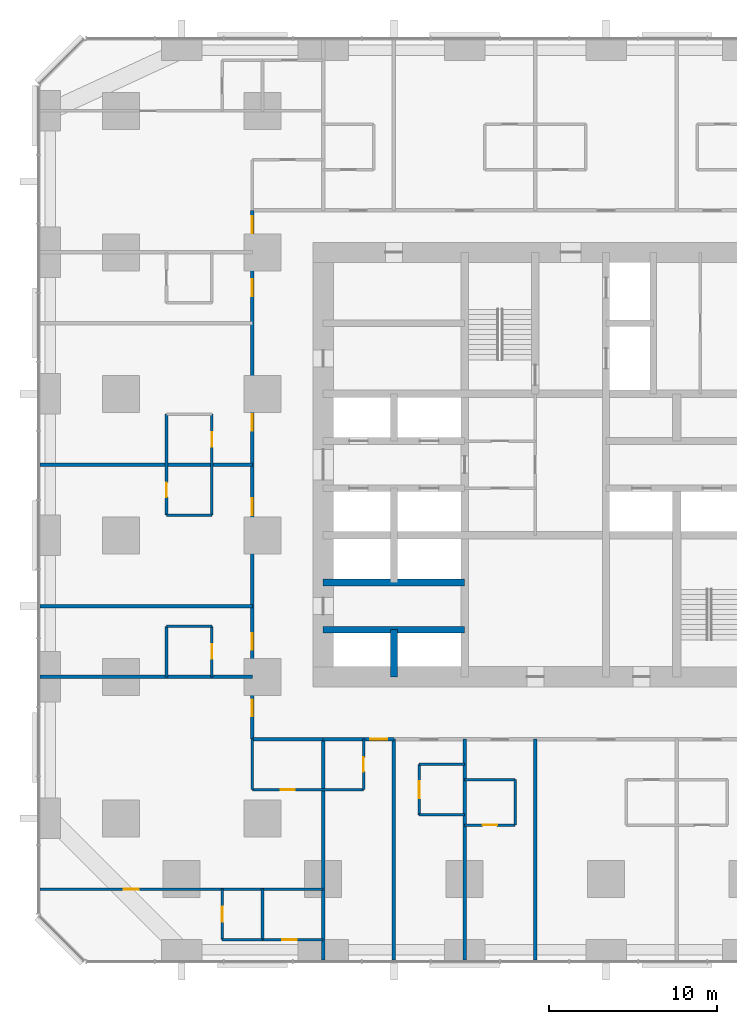
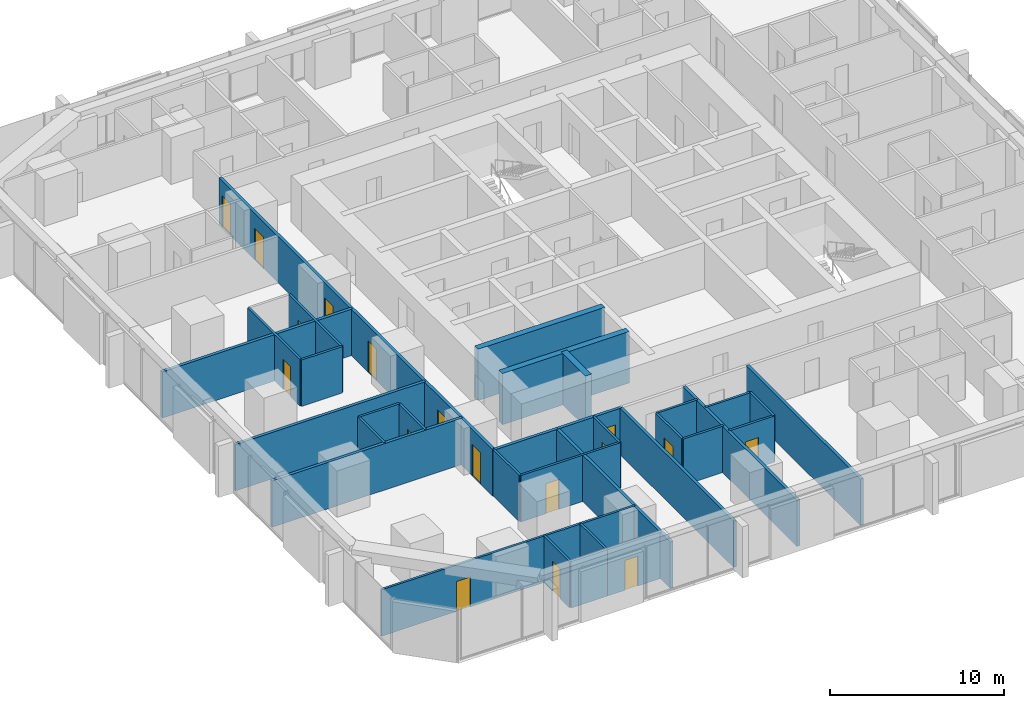
# One storey, part 8 of 13: 33 walls, 17 doors, 17 openings.
"""IFC4 building model written with IfcOpenShell, lengths in metres."""

from ifc_helpers import new_model, si_unit, direction, frame, frame_2d, origin, place, context, subcontext, project, spatial, rectangle, extrude, material, layer, layer_set, type_object, element, fill, save


model = new_model("IFC4")

# Units and contexts
model_context = context("Model", 3, precision=1e-05, world=origin(), true_north=direction((0.0, 1.0)))
body_context = subcontext(model_context, "Body", "Model", "MODEL_VIEW")
ifc_project = project(units=[si_unit("LENGTHUNIT", "METRE"), si_unit("AREAUNIT", "SQUARE_METRE"), si_unit("VOLUMEUNIT", "CUBIC_METRE"), si_unit("PLANEANGLEUNIT", "RADIAN"), si_unit("MASSUNIT", "GRAM", prefix="KILO")], contexts=[model_context])

# Site, building, storey
site_placement = place(None, origin())
site = spatial("IfcSite", under=ifc_project, at=site_placement, CompositionType="ELEMENT")
building_placement = place(site_placement, origin())
building = spatial("IfcBuilding", under=site, at=building_placement, Name="Dunama Terrace Hotel", CompositionType="ELEMENT")
storey_placement = place(building_placement, frame((0.0, 0.0, 144.0)))
storey = spatial("IfcBuildingStorey", under=building, at=storey_placement, Name="L37", CompositionType="ELEMENT", Elevation=144.0)

# Wall
ifc_material_1 = material(Name="Gypsum board partition", Category="masonry")
ifc_layer_1 = layer(ifc_material_1, 0.14990234375)
ifc_layer_set_1 = layer_set([ifc_layer_1], Name="Bathroom partition 150")
wall_type_1 = type_object("IfcWallType", Name="Bathroom partition 150", PredefinedType="PARTITIONING", material=ifc_layer_set_1)
wall_1_placement = place(storey_placement, frame((7.5, 16.800048828125, 0.0), z_axis=(0.0, 0.0, 1.0), x_axis=(0.0, 1.0, 0.0)))
element("IfcWall", 1, at=wall_1_placement, inside=storey, type_object=wall_type_1, Name="Bathroom partition 150 L37", PredefinedType="PARTITIONING", context=body_context, shape_type="SweptSolid", body=[
    extrude(rectangle(XDim=3.0, YDim=0.14990234375, at=frame_2d((1.5, 0.0))), origin(), (0.0, 0.0, 1.0), 3.25),
])

# Wall, opening, door
wall_2_placement = place(storey_placement, frame((7.5, 26.39990234375, 0.0), z_axis=(0.0, 0.0, 1.0), x_axis=(0.0, 1.0, 0.0)))
wall_2 = element("IfcWall", 2, at=wall_2_placement, inside=storey, type_object=wall_type_1, Name="Bathroom partition 150 L37", PredefinedType="PARTITIONING", context=body_context, shape_type="SweptSolid", body=[
    extrude(rectangle(XDim=6.0, YDim=0.14990234375, at=frame_2d((3.0, 0.0))), origin(), (0.0, 0.0, 1.0), 3.25),
])
opening_1_placement = place(wall_2_placement, frame((1.074951171875, 0.0, 0.0)))
opening_1 = element("IfcOpeningElement", 3, at=opening_1_placement, cuts=wall_2, Name="Opening L37-044", PredefinedType="OPENING", context=body_context, shape_type="SweptSolid", body=[
    extrude(rectangle(XDim=0.85009765625, YDim=2.10009765625, at=frame_2d((0.425048828125, 1.050048828125))), frame((0.0, 0.0849609375, 0.0), z_axis=(0.0, -1.0, 0.0), x_axis=(1.0, 0.0, 0.0)), (0.0, 0.0, 1.0), 0.169921875),
])
ifc_material_2 = material(Name="Timber door with steel frame", Category="steel")
door_type_1 = type_object("IfcDoorType", Name="Bathroom door 850", OperationType="SINGLE_SWING_LEFT", PredefinedType="DOOR", material=ifc_material_2)
door_1_placement = place(opening_1_placement, frame((0.85009765625, 0.0, 0.0), z_axis=(0.0, 0.0, 1.0), x_axis=(-1.0, 0.0, 0.0)))
door_1 = element("IfcDoor", 4, at=door_1_placement, inside=storey, type_object=door_type_1, Name="Door to en-suite bathroom L37-044, type D2", OperationType="SINGLE_SWING_LEFT", OverallHeight=2.10009765625, OverallWidth=0.85009765625, PredefinedType="DOOR", context=body_context, shape_type="SweptSolid", body=[
    extrude(rectangle(XDim=0.85009765625, YDim=2.10009765625, at=frame_2d((0.425048828125, 1.050048828125))), frame((0.0, 0.025146484375, 0.0), z_axis=(0.0, -1.0, 0.0), x_axis=(1.0, 0.0, 0.0)), (0.0, 0.0, 1.0), 0.050048828125),
])
fill(opening_1, door_1)

wall_3_placement = place(storey_placement, frame((10.199951171875, 16.800048828125, 0.0), z_axis=(0.0, 0.0, 1.0), x_axis=(0.0, 1.0, 0.0)))
wall_3 = element("IfcWall", 5, at=wall_3_placement, inside=storey, type_object=wall_type_1, Name="Bathroom partition 150 L37", PredefinedType="PARTITIONING", context=body_context, shape_type="SweptSolid", body=[
    extrude(rectangle(XDim=3.0, YDim=0.14990234375, at=frame_2d((1.5, 0.0))), origin(), (0.0, 0.0, 1.0), 3.25),
])
opening_2_placement = place(wall_3_placement, frame((1.074951171875, 0.0, 0.0)))
opening_2 = element("IfcOpeningElement", 6, at=opening_2_placement, cuts=wall_3, Name="Opening L37-042", PredefinedType="OPENING", context=body_context, shape_type="SweptSolid", body=[
    extrude(rectangle(XDim=0.85009765625, YDim=2.10009765625, at=frame_2d((0.425048828125, 1.050048828125))), frame((0.0, 0.0849609375, 0.0), z_axis=(0.0, -1.0, 0.0), x_axis=(1.0, 0.0, 0.0)), (0.0, 0.0, 1.0), 0.169921875),
])
door_2_placement = place(opening_2_placement, origin())
door_2 = element("IfcDoor", 7, at=door_2_placement, inside=storey, type_object=door_type_1, Name="Door to en-suite bathroom L37-042, type D2", OperationType="SINGLE_SWING_LEFT", OverallHeight=2.10009765625, OverallWidth=0.85009765625, PredefinedType="DOOR", context=body_context, shape_type="SweptSolid", body=[
    extrude(rectangle(XDim=0.85009765625, YDim=2.10009765625, at=frame_2d((0.425048828125, 1.050048828125))), frame((0.0, 0.02490234375, 0.0), z_axis=(0.0, -1.0, 0.0), x_axis=(1.0, 0.0, 0.0)), (0.0, 0.0, 1.0), 0.050048828125),
])
fill(opening_2, door_2)

wall_4_placement = place(storey_placement, frame((10.199951171875, 26.39990234375, 0.0), z_axis=(0.0, 0.0, 1.0), x_axis=(0.0, 1.0, 0.0)))
wall_4 = element("IfcWall", 8, at=wall_4_placement, inside=storey, type_object=wall_type_1, Name="Bathroom partition 150 L37", PredefinedType="PARTITIONING", context=body_context, shape_type="SweptSolid", body=[
    extrude(rectangle(XDim=6.0, YDim=0.14990234375, at=frame_2d((3.0, 0.0))), origin(), (0.0, 0.0, 1.0), 3.25),
])
opening_3_placement = place(wall_4_placement, frame((4.074951171875, 0.0, 0.0)))
opening_3 = element("IfcOpeningElement", 9, at=opening_3_placement, cuts=wall_4, Name="Opening L37-046", PredefinedType="OPENING", context=body_context, shape_type="SweptSolid", body=[
    extrude(rectangle(XDim=0.85009765625, YDim=2.10009765625, at=frame_2d((0.425048828125, 1.050048828125))), frame((0.0, 0.0849609375, 0.0), z_axis=(0.0, -1.0, 0.0), x_axis=(1.0, 0.0, 0.0)), (0.0, 0.0, 1.0), 0.169921875),
])
door_3_placement = place(opening_3_placement, origin())
door_3 = element("IfcDoor", 10, at=door_3_placement, inside=storey, type_object=door_type_1, Name="Door to en-suite bathroom L37-046, type D2", OperationType="SINGLE_SWING_LEFT", OverallHeight=2.10009765625, OverallWidth=0.85009765625, PredefinedType="DOOR", context=body_context, shape_type="SweptSolid", body=[
    extrude(rectangle(XDim=0.85009765625, YDim=2.10009765625, at=frame_2d((0.425048828125, 1.050048828125))), frame((0.0, 0.02490234375, 0.0), z_axis=(0.0, -1.0, 0.0), x_axis=(1.0, 0.0, 0.0)), (0.0, 0.0, 1.0), 0.050048828125),
])
fill(opening_3, door_3)

# Wall
wall_5_placement = place(storey_placement, frame((12.60009765625, 10.10009765625, 0.0), z_axis=(0.0, 0.0, 1.0), x_axis=(0.0, 1.0, 0.0)))
element("IfcWall", 11, at=wall_5_placement, inside=storey, type_object=wall_type_1, Name="Bathroom partition 150 L37", PredefinedType="PARTITIONING", context=body_context, shape_type="SweptSolid", body=[
    extrude(rectangle(XDim=3.0, YDim=0.14990234375, at=frame_2d((1.5, 0.0))), origin(), (0.0, 0.0, 1.0), 3.25),
])

# Wall, opening, door
wall_6_placement = place(storey_placement, frame((19.199951171875, 10.10009765625, 0.0), z_axis=(0.0, 0.0, 1.0), x_axis=(0.0, 1.0, 0.0)))
wall_6 = element("IfcWall", 12, at=wall_6_placement, inside=storey, type_object=wall_type_1, Name="Bathroom partition 150 L37", PredefinedType="PARTITIONING", context=body_context, shape_type="SweptSolid", body=[
    extrude(rectangle(XDim=3.0, YDim=0.14990234375, at=frame_2d((1.5, 0.0))), origin(), (0.0, 0.0, 1.0), 3.25),
])
opening_4_placement = place(wall_6_placement, frame((1.074951171875, 0.0, 0.0)))
opening_4 = element("IfcOpeningElement", 13, at=opening_4_placement, cuts=wall_6, Name="Opening L37-012", PredefinedType="OPENING", context=body_context, shape_type="SweptSolid", body=[
    extrude(rectangle(XDim=0.85009765625, YDim=2.10009765625, at=frame_2d((0.425048828125, 1.050048828125))), frame((0.0, 0.0849609375, 0.0), z_axis=(0.0, -1.0, 0.0), x_axis=(1.0, 0.0, 0.0)), (0.0, 0.0, 1.0), 0.169921875),
])
door_4_placement = place(opening_4_placement, origin())
door_4 = element("IfcDoor", 14, at=door_4_placement, inside=storey, type_object=door_type_1, Name="Door to ablution room L37-012, type D2", OperationType="SINGLE_SWING_RIGHT", OverallHeight=2.10009765625, OverallWidth=0.85009765625, PredefinedType="DOOR", context=body_context, shape_type="SweptSolid", body=[
    extrude(rectangle(XDim=0.85009765625, YDim=2.10009765625, at=frame_2d((0.425048828125, 1.050048828125))), frame((0.0, 0.02490234375, 0.0), z_axis=(0.0, -1.0, 0.0), x_axis=(1.0, 0.0, 0.0)), (0.0, 0.0, 1.0), 0.050048828125),
])
fill(opening_4, door_4)

wall_7_placement = place(storey_placement, frame((22.5, 8.60009765625, 0.0), z_axis=(0.0, 0.0, 1.0), x_axis=(0.0, 1.0, 0.0)))
wall_7 = element("IfcWall", 15, at=wall_7_placement, inside=storey, type_object=wall_type_1, Name="Bathroom partition 150 L37", PredefinedType="PARTITIONING", context=body_context, shape_type="SweptSolid", body=[
    extrude(rectangle(XDim=3.0, YDim=0.14990234375, at=frame_2d((1.5, 0.0))), origin(), (0.0, 0.0, 1.0), 3.25),
])
opening_5_placement = place(wall_7_placement, frame((1.0, 0.0, 0.0)))
opening_5 = element("IfcOpeningElement", 16, at=opening_5_placement, cuts=wall_7, Name="Opening L37-014", PredefinedType="OPENING", context=body_context, shape_type="SweptSolid", body=[
    extrude(rectangle(XDim=1.0, YDim=2.10009765625, at=frame_2d((0.5, 1.050048828125))), frame((0.0, 0.0849609375, 0.0), z_axis=(0.0, -1.0, 0.0), x_axis=(1.0, 0.0, 0.0)), (0.0, 0.0, 1.0), 0.169921875),
])
ifc_material_3 = material(Name="Timber door with steel frame", Category="steel")
door_type_2 = type_object("IfcDoorType", Name="Accessible room door 1000", OperationType="SINGLE_SWING_LEFT", PredefinedType="DOOR", material=ifc_material_3)
door_5_placement = place(opening_5_placement, frame((1.0, 0.0, 0.0), z_axis=(0.0, 0.0, 1.0), x_axis=(-1.0, 0.0, 0.0)))
door_5 = element("IfcDoor", 17, at=door_5_placement, inside=storey, type_object=door_type_2, Name="Door to accessible en-suite bathroom L37-014, type D17", OperationType="SINGLE_SWING_RIGHT", OverallHeight=2.10009765625, OverallWidth=1.0, PredefinedType="DOOR", context=body_context, shape_type="SweptSolid", body=[
    extrude(rectangle(XDim=1.0, YDim=2.10009765625, at=frame_2d((0.5, 1.050048828125))), frame((0.0, 0.025146484375, 0.0), z_axis=(0.0, -1.0, 0.0), x_axis=(1.0, 0.0, 0.0)), (0.0, 0.0, 1.0), 0.050048828125),
])
fill(opening_5, door_5)

# Wall
wall_8_placement = place(storey_placement, frame((28.199951171875, 8.0, 0.0), z_axis=(0.0, 0.0, 1.0), x_axis=(0.0, 1.0, 0.0)))
element("IfcWall", 18, at=wall_8_placement, inside=storey, type_object=wall_type_1, Name="Bathroom partition 150 L37", PredefinedType="PARTITIONING", context=body_context, shape_type="SweptSolid", body=[
    extrude(rectangle(XDim=2.699951171875, YDim=0.14990234375, at=frame_2d((1.35009765625, 0.0))), origin(), (0.0, 0.0, 1.0), 3.25),
])

# Wall, opening, door
wall_9_placement = place(storey_placement, frame((13.199951171875, 1.199951171875, 0.0), z_axis=(0.0, 0.0, 1.0), x_axis=(1.0, 0.0, 0.0)))
wall_9 = element("IfcWall", 19, at=wall_9_placement, inside=storey, type_object=wall_type_1, Name="Bathroom partition 150 L37", PredefinedType="PARTITIONING", context=body_context, shape_type="SweptSolid", body=[
    extrude(rectangle(XDim=3.60009765625, YDim=0.14990234375, at=frame_2d((1.800048828125, 0.0))), origin(), (0.0, 0.0, 1.0), 3.25),
])
opening_6_placement = place(wall_9_placement, frame((1.175048828125, 0.0, 0.0)))
opening_6 = element("IfcOpeningElement", 20, at=opening_6_placement, cuts=wall_9, Name="Opening L37-052", PredefinedType="OPENING", context=body_context, shape_type="SweptSolid", body=[
    extrude(rectangle(XDim=0.85009765625, YDim=2.10009765625, at=frame_2d((0.425048828125, 1.050048828125))), frame((0.0, 0.0849609375, 0.0), z_axis=(0.0, -1.0, 0.0), x_axis=(1.0, 0.0, 0.0)), (0.0, 0.0, 1.0), 0.169921875),
])
door_6_placement = place(opening_6_placement, origin())
door_6 = element("IfcDoor", 21, at=door_6_placement, inside=storey, type_object=door_type_1, Name="Door to en-suite bathroom L37-052, type D2", OperationType="SINGLE_SWING_RIGHT", OverallHeight=2.10009765625, OverallWidth=0.85009765625, PredefinedType="DOOR", context=body_context, shape_type="SweptSolid", body=[
    extrude(rectangle(XDim=0.85009765625, YDim=2.10009765625, at=frame_2d((0.425048828125, 1.050048828125))), frame((0.0, 0.02490234375, 0.0), z_axis=(0.0, -1.0, 0.0), x_axis=(1.0, 0.0, 0.0)), (0.0, 0.0, 1.0), 0.050048828125),
])
fill(opening_6, door_6)

wall_10_placement = place(storey_placement, frame((25.199951171875, 8.0, 0.0), z_axis=(0.0, 0.0, 1.0), x_axis=(1.0, 0.0, 0.0)))
wall_10 = element("IfcWall", 22, at=wall_10_placement, inside=storey, type_object=wall_type_1, Name="Bathroom partition 150 L37", PredefinedType="PARTITIONING", context=body_context, shape_type="SweptSolid", body=[
    extrude(rectangle(XDim=3.0, YDim=0.14990234375, at=frame_2d((1.5, 0.0))), origin(), (0.0, 0.0, 1.0), 3.25),
])
opening_7_placement = place(wall_10_placement, frame((1.074951171875, 0.0, 0.0)))
opening_7 = element("IfcOpeningElement", 23, at=opening_7_placement, cuts=wall_10, Name="Opening L37-016", PredefinedType="OPENING", context=body_context, shape_type="SweptSolid", body=[
    extrude(rectangle(XDim=0.85009765625, YDim=2.10009765625, at=frame_2d((0.425048828125, 1.050048828125))), frame((0.0, 0.0849609375, 0.0), z_axis=(0.0, -1.0, 0.0), x_axis=(1.0, 0.0, 0.0)), (0.0, 0.0, 1.0), 0.169921875),
])
door_7_placement = place(opening_7_placement, origin())
door_7 = element("IfcDoor", 24, at=door_7_placement, inside=storey, type_object=door_type_1, Name="Door to en-suite bathroom L37-016, type D2", OperationType="SINGLE_SWING_LEFT", OverallHeight=2.10009765625, OverallWidth=0.85009765625, PredefinedType="DOOR", context=body_context, shape_type="SweptSolid", body=[
    extrude(rectangle(XDim=0.85009765625, YDim=2.10009765625, at=frame_2d((0.425048828125, 1.050048828125))), frame((0.0, 0.02490234375, 0.0), z_axis=(0.0, -1.0, 0.0), x_axis=(1.0, 0.0, 0.0)), (0.0, 0.0, 1.0), 0.050048828125),
])
fill(opening_7, door_7)

# Wall
wall_11_placement = place(storey_placement, frame((22.5, 8.60009765625, 0.0), z_axis=(0.0, 0.0, 1.0), x_axis=(1.0, 0.0, 0.0)))
element("IfcWall", 25, at=wall_11_placement, inside=storey, type_object=wall_type_1, Name="Bathroom partition 150 L37", PredefinedType="PARTITIONING", context=body_context, shape_type="SweptSolid", body=[
    extrude(rectangle(XDim=2.699951171875, YDim=0.14990234375, at=frame_2d((1.35009765625, 0.0))), origin(), (0.0, 0.0, 1.0), 3.25),
])

# Wall, opening, door
wall_12_placement = place(storey_placement, frame((12.60009765625, 10.10009765625, 0.0), z_axis=(0.0, 0.0, 1.0), x_axis=(1.0, 0.0, 0.0)))
wall_12 = element("IfcWall", 26, at=wall_12_placement, inside=storey, type_object=wall_type_1, Name="Bathroom partition 150 L37", PredefinedType="PARTITIONING", context=body_context, shape_type="SweptSolid", body=[
    extrude(rectangle(XDim=6.599853515625, YDim=0.14990234375, at=frame_2d((3.2998046875, 0.0))), origin(), (0.0, 0.0, 1.0), 3.25),
])
opening_8_placement = place(wall_12_placement, frame((1.675048828125, 0.0, 0.0)))
opening_8 = element("IfcOpeningElement", 27, at=opening_8_placement, cuts=wall_12, Name="Opening L37-050", PredefinedType="OPENING", context=body_context, shape_type="SweptSolid", body=[
    extrude(rectangle(XDim=0.85009765625, YDim=2.10009765625, at=frame_2d((0.425048828125, 1.050048828125))), frame((0.0, 0.0849609375, 0.0), z_axis=(0.0, -1.0, 0.0), x_axis=(1.0, 0.0, 0.0)), (0.0, 0.0, 1.0), 0.169921875),
])
door_8_placement = place(opening_8_placement, origin())
door_8 = element("IfcDoor", 28, at=door_8_placement, inside=storey, type_object=door_type_1, Name="Door to powder room L37-050, type D2", OperationType="SINGLE_SWING_LEFT", OverallHeight=2.10009765625, OverallWidth=0.85009765625, PredefinedType="DOOR", context=body_context, shape_type="SweptSolid", body=[
    extrude(rectangle(XDim=0.85009765625, YDim=2.10009765625, at=frame_2d((0.425048828125, 1.050048828125))), frame((0.0, 0.02490234375, 0.0), z_axis=(0.0, -1.0, 0.0), x_axis=(1.0, 0.0, 0.0)), (0.0, 0.0, 1.0), 0.050048828125),
])
fill(opening_8, door_8)

# Walls
wall_13_placement = place(storey_placement, frame((25.199951171875, 10.699951171875, 0.0), z_axis=(0.0, 0.0, 1.0), x_axis=(1.0, 0.0, 0.0)))
element("IfcWall", 29, at=wall_13_placement, inside=storey, type_object=wall_type_1, Name="Bathroom partition 150 L37", PredefinedType="PARTITIONING", context=body_context, shape_type="SweptSolid", body=[
    extrude(rectangle(XDim=3.0, YDim=0.14990234375, at=frame_2d((1.5, 0.0))), origin(), (0.0, 0.0, 1.0), 3.25),
])
for number, where, z_axis, x_axis, name in (
    (30, (22.5, 11.60009765625, 0.0), (0.0, 0.0, 1.0), (1.0, 0.0, 0.0), "Bathroom partition 150 L37"),
    (31, (7.5, 19.800048828125, 0.0), (0.0, 0.0, 1.0), (1.0, 0.0, 0.0), "Bathroom partition 150 L37"),
    (32, (7.5, 26.39990234375, 0.0), (0.0, 0.0, 1.0), (1.0, 0.0, 0.0), "Bathroom partition 150 L37"),
):
    element("IfcWall", number, at=place(storey_placement, frame(where, z_axis=z_axis, x_axis=x_axis)), inside=storey, type_object=wall_type_1, Name=name, PredefinedType="PARTITIONING", context=body_context, shape_type="SweptSolid", body=[
        extrude(rectangle(XDim=2.699951171875, YDim=0.14990234375, at=frame_2d((1.35009765625, 0.0))), origin(), (0.0, 0.0, 1.0), 3.25),
    ])
ifc_material_4 = material(Name="Concrete C50/60", Category="concrete")
ifc_layer_2 = layer(ifc_material_4, 0.39990234375)
ifc_layer_set_2 = layer_set([ifc_layer_2], Name="Core inner wall 400")
wall_type_2 = type_object("IfcWallType", Name="Core inner wall 400", PredefinedType="SHEAR", material=ifc_layer_set_2)
wall_14_placement = place(storey_placement, frame((21.0, 16.800048828125, -0.35009765625), z_axis=(0.0, 0.0, 1.0), x_axis=(0.0, 1.0, 0.0)))
element("IfcWall", 33, at=wall_14_placement, inside=storey, type_object=wall_type_2, Name="Core inner wall 400 L37", PredefinedType="SHEAR", context=body_context, shape_type="SweptSolid", body=[
    extrude(rectangle(XDim=2.800048828125, YDim=0.39990234375, at=frame_2d((1.39990234375, 0.0))), origin(), (0.0, 0.0, 1.0), 3.60009765625),
])
for number, where, z_axis, x_axis, name in (
    (34, (16.800048828125, 19.60009765625, -0.35009765625), (0.0, 0.0, 1.0), (1.0, 0.0, 0.0), "Core inner wall 400 L37"),
    (35, (16.800048828125, 22.39990234375, -0.35009765625), (0.0, 0.0, 1.0), (1.0, 0.0, 0.0), "Core inner wall 400 L37"),
):
    element("IfcWall", number, at=place(storey_placement, frame(where, z_axis=z_axis, x_axis=x_axis)), inside=storey, type_object=wall_type_2, Name=name, PredefinedType="SHEAR", context=body_context, shape_type="SweptSolid", body=[
        extrude(rectangle(XDim=8.39990234375, YDim=0.39990234375, at=frame_2d((4.199951171875, 0.0))), origin(), (0.0, 0.0, 1.0), 3.60009765625),
    ])

# Wall, openings, doors
ifc_material_5 = material(Name="Concrete blockwork", Category="masonry")
ifc_layer_3 = layer(ifc_material_5, 0.199951171875)
ifc_layer_set_3 = layer_set([ifc_layer_3], Name="Corridor partition 200")
wall_type_3 = type_object("IfcWallType", Name="Corridor partition 200", PredefinedType="PARTITIONING", material=ifc_layer_set_3)
wall_15_placement = place(storey_placement, frame((12.60009765625, 13.10009765625, 0.0), z_axis=(0.0, 0.0, 1.0), x_axis=(0.0, 1.0, 0.0)))
wall_15 = element("IfcWall", 36, at=wall_15_placement, inside=storey, type_object=wall_type_3, Name="Corridor partition 200 L37", PredefinedType="PARTITIONING", context=body_context, shape_type="SweptSolid", body=[
    extrude(rectangle(XDim=31.39990234375, YDim=0.199951171875, at=frame_2d((15.699951171875, 0.0))), origin(), (0.0, 0.0, 1.0), 3.25),
])
opening_9_placement = place(wall_15_placement, frame((5.300048828125, 0.0, 0.0)))
opening_9 = element("IfcOpeningElement", 37, at=opening_9_placement, cuts=wall_15, Name="Opening L37-041", PredefinedType="OPENING", context=body_context, shape_type="SweptSolid", body=[
    extrude(rectangle(XDim=1.0, YDim=2.199951171875, at=frame_2d((0.5, 1.10009765625))), frame((0.0, 0.10986328125, 0.0), z_axis=(0.0, -1.0, 0.0), x_axis=(1.0, 0.0, 0.0)), (0.0, 0.0, 1.0), 0.219970703125),
])
opening_10_placement = place(wall_15_placement, frame((13.300048828125, 0.0, 0.0)))
opening_10 = element("IfcOpeningElement", 38, at=opening_10_placement, cuts=wall_15, Name="Opening L37-043", PredefinedType="OPENING", context=body_context, shape_type="SweptSolid", body=[
    extrude(rectangle(XDim=1.0, YDim=2.199951171875, at=frame_2d((0.5, 1.10009765625))), frame((0.0, 0.10986328125, 0.0), z_axis=(0.0, -1.0, 0.0), x_axis=(1.0, 0.0, 0.0)), (0.0, 0.0, 1.0), 0.219970703125),
])
opening_11_placement = place(wall_15_placement, frame((18.300048828125, 0.0, 0.0)))
opening_11 = element("IfcOpeningElement", 39, at=opening_11_placement, cuts=wall_15, Name="Opening L37-045", PredefinedType="OPENING", context=body_context, shape_type="SweptSolid", body=[
    extrude(rectangle(XDim=1.0, YDim=2.199951171875, at=frame_2d((0.5, 1.10009765625))), frame((0.0, 0.10986328125, 0.0), z_axis=(0.0, -1.0, 0.0), x_axis=(1.0, 0.0, 0.0)), (0.0, 0.0, 1.0), 0.219970703125),
])
opening_12_placement = place(wall_15_placement, frame((26.300048828125, 0.0, 0.0)))
opening_12 = element("IfcOpeningElement", 40, at=opening_12_placement, cuts=wall_15, Name="Opening L37-047", PredefinedType="OPENING", context=body_context, shape_type="SweptSolid", body=[
    extrude(rectangle(XDim=1.0, YDim=2.199951171875, at=frame_2d((0.5, 1.10009765625))), frame((0.0, 0.10986328125, 0.0), z_axis=(0.0, -1.0, 0.0), x_axis=(1.0, 0.0, 0.0)), (0.0, 0.0, 1.0), 0.219970703125),
])
opening_13_placement = place(wall_15_placement, frame((1.35009765625, 0.0, 0.0)))
opening_13 = element("IfcOpeningElement", 41, at=opening_13_placement, cuts=wall_15, Name="Opening L37-049", PredefinedType="OPENING", context=body_context, shape_type="SweptSolid", body=[
    extrude(rectangle(XDim=1.0, YDim=2.199951171875, at=frame_2d((0.5, 1.10009765625))), frame((0.0, 0.10986328125, 0.0), z_axis=(0.0, -1.0, 0.0), x_axis=(1.0, 0.0, 0.0)), (0.0, 0.0, 1.0), 0.219970703125),
])
opening_14_placement = place(wall_15_placement, frame((30.050048828125, 0.0, 0.0)))
opening_14 = element("IfcOpeningElement", 42, at=opening_14_placement, cuts=wall_15, Name="Opening L37-064", PredefinedType="OPENING", context=body_context, shape_type="SweptSolid", body=[
    extrude(rectangle(XDim=1.0, YDim=2.199951171875, at=frame_2d((0.5, 1.10009765625))), frame((0.0, 0.10986328125, 0.0), z_axis=(0.0, -1.0, 0.0), x_axis=(1.0, 0.0, 0.0)), (0.0, 0.0, 1.0), 0.219970703125),
])
ifc_material_6 = material(Name="Timber door with steel frame", Category="steel")
door_type_3 = type_object("IfcDoorType", Name="Guest room door 1000", OperationType="SINGLE_SWING_LEFT", PredefinedType="DOOR", material=ifc_material_6)
door_9_placement = place(opening_9_placement, origin())
door_9 = element("IfcDoor", 43, at=door_9_placement, inside=storey, type_object=door_type_3, Name="Door to premier room L37-041, type D1", OperationType="SINGLE_SWING_LEFT", OverallHeight=2.199951171875, OverallWidth=1.0, PredefinedType="DOOR", context=body_context, shape_type="SweptSolid", body=[
    extrude(rectangle(XDim=1.0, YDim=2.199951171875, at=frame_2d((0.5, 1.10009765625))), frame((0.0, 0.02490234375, 0.0), z_axis=(0.0, -1.0, 0.0), x_axis=(1.0, 0.0, 0.0)), (0.0, 0.0, 1.0), 0.050048828125),
])
fill(opening_9, door_9)
door_10_placement = place(opening_10_placement, origin())
door_10 = element("IfcDoor", 44, at=door_10_placement, inside=storey, type_object=door_type_3, Name="Door to junior suite L37-043, type D1", OperationType="SINGLE_SWING_LEFT", OverallHeight=2.199951171875, OverallWidth=1.0, PredefinedType="DOOR", context=body_context, shape_type="SweptSolid", body=[
    extrude(rectangle(XDim=1.0, YDim=2.199951171875, at=frame_2d((0.5, 1.10009765625))), frame((0.0, 0.02490234375, 0.0), z_axis=(0.0, -1.0, 0.0), x_axis=(1.0, 0.0, 0.0)), (0.0, 0.0, 1.0), 0.050048828125),
])
fill(opening_10, door_10)
door_11_placement = place(opening_11_placement, origin())
door_11 = element("IfcDoor", 45, at=door_11_placement, inside=storey, type_object=door_type_3, Name="Door to junior suite L37-045, type D1", OperationType="SINGLE_SWING_RIGHT", OverallHeight=2.199951171875, OverallWidth=1.0, PredefinedType="DOOR", context=body_context, shape_type="SweptSolid", body=[
    extrude(rectangle(XDim=1.0, YDim=2.199951171875, at=frame_2d((0.5, 1.10009765625))), frame((0.0, 0.02490234375, 0.0), z_axis=(0.0, -1.0, 0.0), x_axis=(1.0, 0.0, 0.0)), (0.0, 0.0, 1.0), 0.050048828125),
])
fill(opening_11, door_11)
door_12_placement = place(opening_12_placement, origin())
door_12 = element("IfcDoor", 46, at=door_12_placement, inside=storey, type_object=door_type_3, Name="Door to premier room L37-047, type D1", OperationType="SINGLE_SWING_RIGHT", OverallHeight=2.199951171875, OverallWidth=1.0, PredefinedType="DOOR", context=body_context, shape_type="SweptSolid", body=[
    extrude(rectangle(XDim=1.0, YDim=2.199951171875, at=frame_2d((0.5, 1.10009765625))), frame((0.0, 0.02490234375, 0.0), z_axis=(0.0, -1.0, 0.0), x_axis=(1.0, 0.0, 0.0)), (0.0, 0.0, 1.0), 0.050048828125),
])
fill(opening_12, door_12)
door_13_placement = place(opening_13_placement, origin())
door_13 = element("IfcDoor", 47, at=door_13_placement, inside=storey, type_object=door_type_3, Name="Door to corner suite living room L37-049, type D1", OperationType="SINGLE_SWING_RIGHT", OverallHeight=2.199951171875, OverallWidth=1.0, PredefinedType="DOOR", context=body_context, shape_type="SweptSolid", body=[
    extrude(rectangle(XDim=1.0, YDim=2.199951171875, at=frame_2d((0.5, 1.10009765625))), frame((0.0, 0.02490234375, 0.0), z_axis=(0.0, -1.0, 0.0), x_axis=(1.0, 0.0, 0.0)), (0.0, 0.0, 1.0), 0.050048828125),
])
fill(opening_13, door_13)
door_14_placement = place(opening_14_placement, origin())
door_14 = element("IfcDoor", 48, at=door_14_placement, inside=storey, type_object=door_type_3, Name="Door to corner suite living room L37-064, type D1", OperationType="SINGLE_SWING_LEFT", OverallHeight=2.199951171875, OverallWidth=1.0, PredefinedType="DOOR", context=body_context, shape_type="SweptSolid", body=[
    extrude(rectangle(XDim=1.0, YDim=2.199951171875, at=frame_2d((0.5, 1.10009765625))), frame((0.0, 0.02490234375, 0.0), z_axis=(0.0, -1.0, 0.0), x_axis=(1.0, 0.0, 0.0)), (0.0, 0.0, 1.0), 0.050048828125),
])
fill(opening_14, door_14)

# Wall, opening, door
wall_16_placement = place(storey_placement, frame((16.800048828125, 13.10009765625, 0.0), z_axis=(0.0, 0.0, 1.0), x_axis=(1.0, 0.0, 0.0)))
wall_16 = element("IfcWall", 49, at=wall_16_placement, inside=storey, type_object=wall_type_3, Name="Corridor partition 200 L37", PredefinedType="PARTITIONING", context=body_context, shape_type="SweptSolid", body=[
    extrude(rectangle(XDim=4.199951171875, YDim=0.199951171875, at=frame_2d((2.10009765625, 0.0))), origin(), (0.0, 0.0, 1.0), 3.25),
])
opening_15_placement = place(wall_16_placement, frame((2.800048828125, 0.0, 0.0)))
opening_15 = element("IfcOpeningElement", 50, at=opening_15_placement, cuts=wall_16, Name="Opening L37-011", PredefinedType="OPENING", context=body_context, shape_type="SweptSolid", body=[
    extrude(rectangle(XDim=1.0, YDim=2.199951171875, at=frame_2d((0.5, 1.10009765625))), frame((0.0, 0.10986328125, 0.0), z_axis=(0.0, -1.0, 0.0), x_axis=(1.0, 0.0, 0.0)), (0.0, 0.0, 1.0), 0.219970703125),
])
door_15_placement = place(opening_15_placement, origin())
door_15 = element("IfcDoor", 51, at=door_15_placement, inside=storey, type_object=door_type_3, Name="Door to prayer room L37-011, type D1", OperationType="SINGLE_SWING_RIGHT", OverallHeight=2.199951171875, OverallWidth=1.0, PredefinedType="DOOR", context=body_context, shape_type="SweptSolid", body=[
    extrude(rectangle(XDim=1.0, YDim=2.199951171875, at=frame_2d((0.5, 1.10009765625))), frame((0.0, 0.02490234375, 0.0), z_axis=(0.0, -1.0, 0.0), x_axis=(1.0, 0.0, 0.0)), (0.0, 0.0, 1.0), 0.050048828125),
])
fill(opening_15, door_15)

# Walls
wall_17_placement = place(storey_placement, frame((16.800048828125, 13.10009765625, 0.0), z_axis=(0.0, 0.0, 1.0), x_axis=(-1.0, 0.0, 0.0)))
element("IfcWall", 52, at=wall_17_placement, inside=storey, type_object=wall_type_3, Name="Corridor partition 200 L37", PredefinedType="PARTITIONING", context=body_context, shape_type="SweptSolid", body=[
    extrude(rectangle(XDim=4.199951171875, YDim=0.199951171875, at=frame_2d((2.10009765625, 0.0))), origin(), (0.0, 0.0, 1.0), 3.25),
])
ifc_material_7 = material(Name="Concrete blockwork", Category="masonry")
ifc_layer_4 = layer(ifc_material_7, 0.199951171875)
ifc_layer_set_4 = layer_set([ifc_layer_4], Name="Party wall 200")
wall_type_4 = type_object("IfcWallType", Name="Party wall 200", PredefinedType="PARTITIONING", material=ifc_layer_set_4)
for number, where, z_axis, x_axis, name in (
    (53, (16.800048828125, -0.01806640625, 0.0), (0.0, 0.0, 1.0), (0.0, 1.0, 0.0), "Party wall 200 L37"),
    (54, (21.0, -0.01806640625, 0.0), (0.0, 0.0, 1.0), (0.0, 1.0, 0.0), "Party wall 200 L37"),
    (55, (25.199951171875, -0.01806640625, 0.0), (0.0, 0.0, 1.0), (0.0, 1.0, 0.0), "Party wall 200 L37"),
    (56, (29.39990234375, -0.01806640625, 0.0), (0.0, 0.0, 1.0), (0.0, 1.0, 0.0), "Party wall 200 L37"),
):
    element("IfcWall", number, at=place(storey_placement, frame(where, z_axis=z_axis, x_axis=x_axis)), inside=storey, type_object=wall_type_4, Name=name, PredefinedType="PARTITIONING", context=body_context, shape_type="SweptSolid", body=[
        extrude(rectangle(XDim=13.1181640625, YDim=0.199951171875, at=frame_2d((6.55908203125, 0.0))), origin(), (0.0, 0.0, 1.0), 3.25),
    ])
for number, where, z_axis, x_axis, name in (
    (57, (-0.01806640625, 16.800048828125, 0.0), (0.0, 0.0, 1.0), (1.0, 0.0, 0.0), "Party wall 200 L37"),
    (58, (-0.01806640625, 21.0, 0.0), (0.0, 0.0, 1.0), (1.0, 0.0, 0.0), "Party wall 200 L37"),
    (59, (-0.01806640625, 29.39990234375, 0.0), (0.0, 0.0, 1.0), (1.0, 0.0, 0.0), "Party wall 200 L37"),
):
    element("IfcWall", number, at=place(storey_placement, frame(where, z_axis=z_axis, x_axis=x_axis)), inside=storey, type_object=wall_type_4, Name=name, PredefinedType="PARTITIONING", context=body_context, shape_type="SweptSolid", body=[
        extrude(rectangle(XDim=12.6181640625, YDim=0.199951171875, at=frame_2d((6.30908203125, 0.0))), origin(), (0.0, 0.0, 1.0), 3.25),
    ])

# Wall, opening, door
ifc_material_8 = material(Name="Gypsum board partition", Category="masonry")
ifc_layer_5 = layer(ifc_material_8, 0.14990234375)
ifc_layer_set_5 = layer_set([ifc_layer_5], Name="Room partition 150")
wall_type_5 = type_object("IfcWallType", Name="Room partition 150", PredefinedType="PARTITIONING", material=ifc_layer_set_5)
wall_18_placement = place(storey_placement, frame((10.800048828125, 1.199951171875, 0.0), z_axis=(0.0, 0.0, 1.0), x_axis=(0.0, 1.0, 0.0)))
wall_18 = element("IfcWall", 60, at=wall_18_placement, inside=storey, type_object=wall_type_5, Name="Room partition 150 L37", PredefinedType="PARTITIONING", context=body_context, shape_type="SweptSolid", body=[
    extrude(rectangle(XDim=3.0, YDim=0.14990234375, at=frame_2d((1.5, 0.0))), origin(), (0.0, 0.0, 1.0), 3.25),
])
opening_16_placement = place(wall_18_placement, frame((1.050048828125, 0.0, 0.0)))
opening_16 = element("IfcOpeningElement", 61, at=opening_16_placement, cuts=wall_18, Name="Opening L37-053", PredefinedType="OPENING", context=body_context, shape_type="SweptSolid", body=[
    extrude(rectangle(XDim=0.89990234375, YDim=2.10009765625, at=frame_2d((0.449951171875, 1.050048828125))), frame((0.0, 0.0849609375, 0.0), z_axis=(0.0, -1.0, 0.0), x_axis=(1.0, 0.0, 0.0)), (0.0, 0.0, 1.0), 0.169921875),
])
ifc_material_9 = material(Name="Timber door with steel frame", Category="steel")
door_type_4 = type_object("IfcDoorType", Name="Suite internal door 900", OperationType="SINGLE_SWING_LEFT", PredefinedType="DOOR", material=ifc_material_9)
door_16_placement = place(opening_16_placement, frame((0.89990234375, 0.0, 0.0), z_axis=(0.0, 0.0, 1.0), x_axis=(-1.0, 0.0, 0.0)))
door_16 = element("IfcDoor", 62, at=door_16_placement, inside=storey, type_object=door_type_4, Name="Door to dressing room L37-053, type D16", OperationType="SINGLE_SWING_LEFT", OverallHeight=2.10009765625, OverallWidth=0.89990234375, PredefinedType="DOOR", context=body_context, shape_type="SweptSolid", body=[
    extrude(rectangle(XDim=0.89990234375, YDim=2.10009765625, at=frame_2d((0.449951171875, 1.050048828125))), frame((0.0, 0.025146484375, 0.0), z_axis=(0.0, -1.0, 0.0), x_axis=(1.0, 0.0, 0.0)), (0.0, 0.0, 1.0), 0.050048828125),
])
fill(opening_16, door_16)

# Walls
wall_19_placement = place(storey_placement, frame((13.199951171875, 1.199951171875, 0.0), z_axis=(0.0, 0.0, 1.0), x_axis=(0.0, 1.0, 0.0)))
element("IfcWall", 63, at=wall_19_placement, inside=storey, type_object=wall_type_5, Name="Room partition 150 L37", PredefinedType="PARTITIONING", context=body_context, shape_type="SweptSolid", body=[
    extrude(rectangle(XDim=3.0, YDim=0.14990234375, at=frame_2d((1.5, 0.0))), origin(), (0.0, 0.0, 1.0), 3.25),
])
wall_20_placement = place(storey_placement, frame((10.800048828125, 1.199951171875, 0.0), z_axis=(0.0, 0.0, 1.0), x_axis=(1.0, 0.0, 0.0)))
element("IfcWall", 64, at=wall_20_placement, inside=storey, type_object=wall_type_5, Name="Room partition 150 L37", PredefinedType="PARTITIONING", context=body_context, shape_type="SweptSolid", body=[
    extrude(rectangle(XDim=2.39990234375, YDim=0.14990234375, at=frame_2d((1.199951171875, 0.0))), origin(), (0.0, 0.0, 1.0), 3.25),
])

# Wall, opening, door
wall_21_placement = place(storey_placement, frame((-0.01806640625, 4.199951171875, 0.0), z_axis=(0.0, 0.0, 1.0), x_axis=(1.0, 0.0, 0.0)))
wall_21 = element("IfcWall", 65, at=wall_21_placement, inside=storey, type_object=wall_type_5, Name="Room partition 150 L37", PredefinedType="PARTITIONING", context=body_context, shape_type="SweptSolid", body=[
    extrude(rectangle(XDim=16.818115234375, YDim=0.14990234375, at=frame_2d((8.4091796875, 0.0))), origin(), (0.0, 0.0, 1.0), 3.25),
])
opening_17_placement = place(wall_21_placement, frame((4.968017578125, 0.0, 0.0)))
opening_17 = element("IfcOpeningElement", 66, at=opening_17_placement, cuts=wall_21, Name="Opening L37-051", PredefinedType="OPENING", context=body_context, shape_type="SweptSolid", body=[
    extrude(rectangle(XDim=0.89990234375, YDim=2.10009765625, at=frame_2d((0.449951171875, 1.050048828125))), frame((0.0, 0.0849609375, 0.0), z_axis=(0.0, -1.0, 0.0), x_axis=(1.0, 0.0, 0.0)), (0.0, 0.0, 1.0), 0.169921875),
])
door_17_placement = place(opening_17_placement, frame((0.89990234375, 0.0, 0.0), z_axis=(0.0, 0.0, 1.0), x_axis=(-1.0, 0.0, 0.0)))
door_17 = element("IfcDoor", 67, at=door_17_placement, inside=storey, type_object=door_type_4, Name="Door to corner suite bedroom L37-051, type D16", OperationType="SINGLE_SWING_LEFT", OverallHeight=2.10009765625, OverallWidth=0.89990234375, PredefinedType="DOOR", context=body_context, shape_type="SweptSolid", body=[
    extrude(rectangle(XDim=0.89990234375, YDim=2.10009765625, at=frame_2d((0.449951171875, 1.050048828125))), frame((0.0, 0.025146484375, 0.0), z_axis=(0.0, -1.0, 0.0), x_axis=(1.0, 0.0, 0.0)), (0.0, 0.0, 1.0), 0.050048828125),
])
fill(opening_17, door_17)

save(model, "model.ifc")
